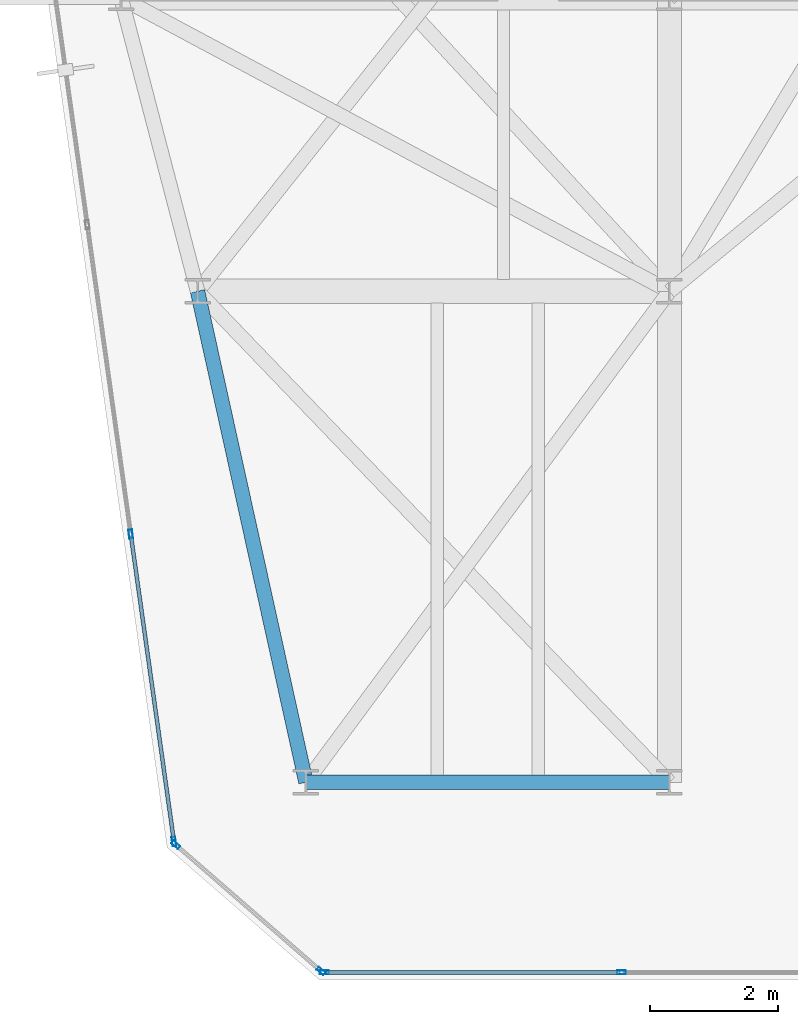
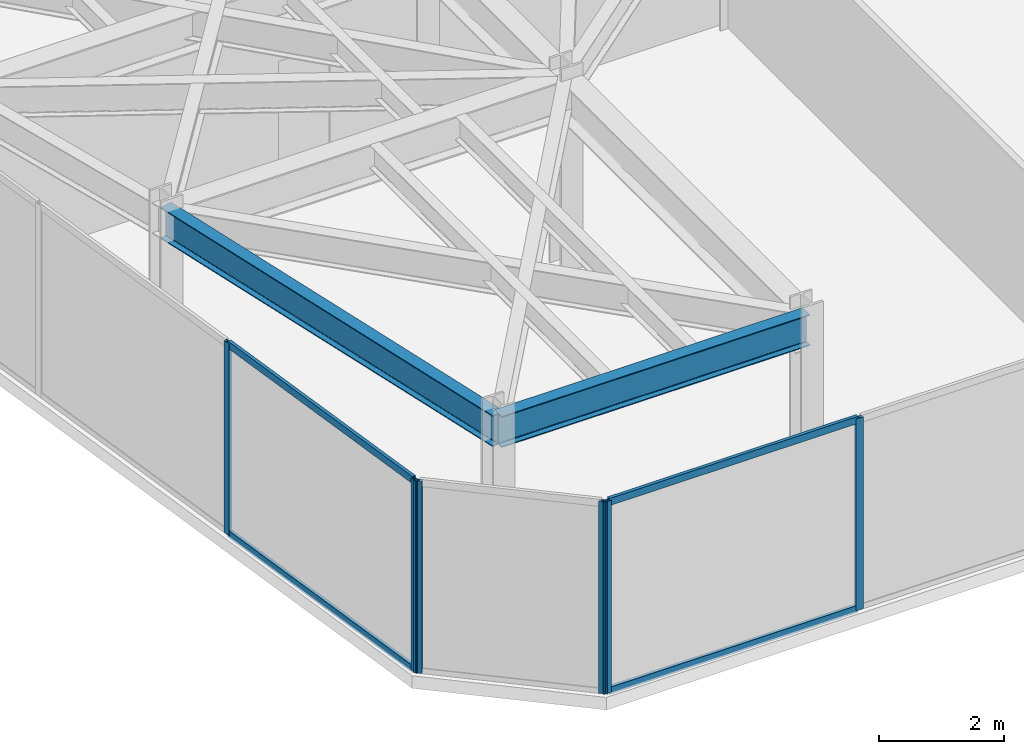
# One storey, part 2 of 26: 10 members, 2 beams, 3 elements without a shape of their own.
"""IFC4 building model written with IfcOpenShell, lengths in metres."""

from ifc_helpers import new_model, si_unit, direction, frame, origin, origin_2d, place, context, subcontext, project, spatial, hollow_rectangle, i_section, extrude, material, layer, layer_set, material_profile, profile_set, type_object, element, aggregate, save


model = new_model("IFC4")

# Units and contexts
model_context = context("Model", 3, precision=1e-05, world=origin(), true_north=direction((0.0, 1.0)))
body_context = subcontext(model_context, "Body", "Model", "MODEL_VIEW")
ifc_project = project(units=[si_unit("LENGTHUNIT", "METRE"), si_unit("AREAUNIT", "SQUARE_METRE"), si_unit("VOLUMEUNIT", "CUBIC_METRE"), si_unit("PLANEANGLEUNIT", "RADIAN"), si_unit("MASSUNIT", "GRAM", prefix="KILO")], contexts=[model_context])

# Site, building, storey
site_placement = place(None, origin())
site = spatial("IfcSite", under=ifc_project, at=site_placement, CompositionType="ELEMENT")
building_placement = place(site_placement, origin())
building = spatial("IfcBuilding", under=site, at=building_placement, Name="Kravanh Interchange Tower", CompositionType="ELEMENT")
storey_placement = place(building_placement, frame((0.0, 0.0, 204.5)))
storey = spatial("IfcBuildingStorey", under=building, at=storey_placement, Name="L49", CompositionType="ELEMENT", Elevation=204.5)

# Curtain wall, members
ifc_material_1 = material(Name="Anodised Bronze Aluminium", Category="aluminium")
ifc_layer = layer(ifc_material_1, 0.179931640625)
ifc_layer_set = layer_set([ifc_layer], Name="Unitised Curtain Wall System CW-Z3 Upper Office")
curtain_wall_type = type_object("IfcCurtainWallType", Name="Unitised Curtain Wall System CW-Z3 Upper Office", PredefinedType="NOTDEFINED", material=ifc_layer_set)
curtain_wall_1_placement = place(storey_placement, origin())
curtain_wall_1 = element("IfcCurtainWall", 1, at=curtain_wall_1_placement, inside=storey, type_object=curtain_wall_type, Name="L49 Unitised Curtain Wall CW-L49-01", PredefinedType="NOTDEFINED")
ifc_material_2 = material(Name="Anodised Bronze Aluminium", Category="aluminium")
ifc_material_profile_1 = material_profile(ifc_material_2, hollow_rectangle(XDim=0.06005859375, YDim=0.139892578125, WallThickness=0.00390625, at=origin_2d()), Name="ALU60X140X4")
ifc_profile_set_1 = profile_set([ifc_material_profile_1], Name="Anodised Bronze Aluminium")
member_type_1 = type_object("IfcMemberType", Name="Curtain Wall Mullion ALU60X140X4 Bronze", PredefinedType="MULLION", material=ifc_profile_set_1)
member_1_placement = place(storey_placement, frame((19.43017578125, 13.5703125, 0.0), z_axis=(0.0, 0.0, 1.0), x_axis=(-0.990268194035, -0.139172209446, 0.0)))
member_1 = element("IfcMember", 2, at=member_1_placement, type_object=member_type_1, Name="CW-Z3 mullion 1", PredefinedType="MULLION", context=body_context, shape_type="SweptSolid", body=[
    extrude(hollow_rectangle(XDim=0.06005859375, YDim=0.139892578125, WallThickness=0.00390625, at=origin_2d()), origin(), (0.0, 0.0, 1.0), 3.7548828125),
])
member_2_placement = place(storey_placement, frame((18.75244140625, 18.392578125, 0.0), z_axis=(0.0, 0.0, 1.0), x_axis=(-0.990268194035, -0.139172209446, 0.0)))
member_2 = element("IfcMember", 3, at=member_2_placement, type_object=member_type_1, Name="CW-Z3 mullion 2", PredefinedType="MULLION", context=body_context, shape_type="SweptSolid", body=[
    extrude(hollow_rectangle(XDim=0.06005859375, YDim=0.139892578125, WallThickness=0.00390625, at=origin_2d()), origin(), (0.0, 0.0, 1.0), 3.7548828125),
])

curtain_wall_2_placement = place(storey_placement, origin())
curtain_wall_2 = element("IfcCurtainWall", 4, at=curtain_wall_2_placement, inside=storey, type_object=curtain_wall_type, Name="L49 Unitised Curtain Wall CW-L49-06", PredefinedType="NOTDEFINED")
member_3_placement = place(storey_placement, frame((26.447998046875, 11.52001953125, 0.0), z_axis=(0.0, 0.0, 1.0), x_axis=(0.0, -1.0, 0.0)))
member_3 = element("IfcMember", 5, at=member_3_placement, type_object=member_type_1, Name="CW-Z3 mullion 2", PredefinedType="MULLION", context=body_context, shape_type="SweptSolid", body=[
    extrude(hollow_rectangle(XDim=0.06005859375, YDim=0.139892578125, WallThickness=0.00390625, at=origin_2d()), origin(), (0.0, 0.0, 1.0), 3.7548828125),
])
member_4_placement = place(storey_placement, frame((21.7890625, 11.52001953125, 0.0), z_axis=(0.0, 0.0, 1.0), x_axis=(0.0, -1.0, 0.0)))
member_4 = element("IfcMember", 6, at=member_4_placement, type_object=member_type_1, Name="CW-Z3 mullion 3", PredefinedType="MULLION", context=body_context, shape_type="SweptSolid", body=[
    extrude(hollow_rectangle(XDim=0.06005859375, YDim=0.139892578125, WallThickness=0.00390625, at=origin_2d()), origin(), (0.0, 0.0, 1.0), 3.7548828125),
])

curtain_wall_3_placement = place(storey_placement, origin())
curtain_wall_3 = element("IfcCurtainWall", 7, at=curtain_wall_3_placement, inside=storey, type_object=curtain_wall_type, Name="L49 Unitised Curtain Wall CW-L49-07", PredefinedType="NOTDEFINED")
member_5_placement = place(storey_placement, frame((21.736328125, 11.539794921875, 0.0), z_axis=(0.0, 0.0, 1.0), x_axis=(-0.65605090137, -0.754716645379, 0.0)))
member_5 = element("IfcMember", 8, at=member_5_placement, type_object=member_type_1, Name="CW-Z3 mullion 1", PredefinedType="MULLION", context=body_context, shape_type="SweptSolid", body=[
    extrude(hollow_rectangle(XDim=0.06005859375, YDim=0.139892578125, WallThickness=0.00390625, at=origin_2d()), origin(), (0.0, 0.0, 1.0), 3.7548828125),
])
member_6_placement = place(storey_placement, frame((19.45703125, 13.52099609375, 0.0), z_axis=(0.0, 0.0, 1.0), x_axis=(-0.65605090137, -0.754716645379, 0.0)))
member_6 = element("IfcMember", 9, at=member_6_placement, type_object=member_type_1, Name="CW-Z3 mullion 2", PredefinedType="MULLION", context=body_context, shape_type="SweptSolid", body=[
    extrude(hollow_rectangle(XDim=0.06005859375, YDim=0.139892578125, WallThickness=0.00390625, at=origin_2d()), origin(), (0.0, 0.0, 1.0), 3.7548828125),
])
aggregate(curtain_wall_3, [member_5, member_6])

# Member
ifc_material_3 = material(Name="Anodised Bronze Aluminium", Category="aluminium")
ifc_material_profile_2 = material_profile(ifc_material_3, hollow_rectangle(XDim=0.06005859375, YDim=0.139892578125, WallThickness=0.00390625, at=origin_2d()), Name="ALU60X140X4")
ifc_profile_set_2 = profile_set([ifc_material_profile_2], Name="Anodised Bronze Aluminium")
member_type_2 = type_object("IfcMemberType", Name="Curtain Wall Transom ALU60X140X4 Bronze", PredefinedType="USERDEFINED", material=ifc_profile_set_2)
member_7_placement = place(storey_placement, frame((19.426025390625, 13.60009765625, 0.030029296875), z_axis=(-0.139189497915, 0.990265764161, 0.0), x_axis=(-0.990265764161, -0.139189497915, 0.0)))
member_7 = element("IfcMember", 10, at=member_7_placement, type_object=member_type_2, Name="CW-Z3 transom 1.1", ObjectType="TRANSOM", PredefinedType="USERDEFINED", context=body_context, shape_type="SweptSolid", body=[
    extrude(hollow_rectangle(XDim=0.06005859375, YDim=0.139892578125, WallThickness=0.00390625, at=origin_2d()), origin(), (0.0, 0.0, 1.0), 4.8095703125),
])

member_8_placement = place(storey_placement, frame((19.426025390625, 13.60009765625, 3.72509765625), z_axis=(-0.139189497915, 0.990265764161, 0.0), x_axis=(-0.990265764161, -0.139189497915, 0.0)))
member_8 = element("IfcMember", 11, at=member_8_placement, type_object=member_type_2, Name="CW-Z3 transom 1.2", ObjectType="TRANSOM", PredefinedType="USERDEFINED", context=body_context, shape_type="SweptSolid", body=[
    extrude(hollow_rectangle(XDim=0.06005859375, YDim=0.139892578125, WallThickness=0.00390625, at=origin_2d()), origin(), (0.0, 0.0, 1.0), 4.8095703125),
])

aggregate(curtain_wall_1, [member_1, member_2, member_7, member_8])

member_9_placement = place(storey_placement, frame((26.41796875, 11.52001953125, 0.030029296875), z_axis=(-1.0, 0.0, 0.0), x_axis=(0.0, -1.0, 0.0)))
member_9 = element("IfcMember", 12, at=member_9_placement, type_object=member_type_2, Name="CW-Z3 transom 2.1", ObjectType="TRANSOM", PredefinedType="USERDEFINED", context=body_context, shape_type="SweptSolid", body=[
    extrude(hollow_rectangle(XDim=0.06005859375, YDim=0.139892578125, WallThickness=0.00390625, at=origin_2d()), origin(), (0.0, 0.0, 1.0), 4.598876953125),
])

member_10_placement = place(storey_placement, frame((26.41796875, 11.52001953125, 3.72509765625), z_axis=(-1.0, 0.0, 0.0), x_axis=(0.0, -1.0, 0.0)))
member_10 = element("IfcMember", 13, at=member_10_placement, type_object=member_type_2, Name="CW-Z3 transom 2.2", ObjectType="TRANSOM", PredefinedType="USERDEFINED", context=body_context, shape_type="SweptSolid", body=[
    extrude(hollow_rectangle(XDim=0.06005859375, YDim=0.139892578125, WallThickness=0.00390625, at=origin_2d()), origin(), (0.0, 0.0, 1.0), 4.598876953125),
])

aggregate(curtain_wall_2, [member_3, member_4, member_9, member_10])

# Beams
ifc_material_4 = material(Name="Structural Steel S355", Category="steel")
ifc_material_profile_3 = material_profile(ifc_material_4, i_section(OverallWidth=0.22802734375, OverallDepth=0.60791015625, WebThickness=0.01123046875, FlangeThickness=0.017333984375, FilletRadius=0.02197265625, at=origin_2d()), Name="W24X76")
ifc_profile_set_3 = profile_set([ifc_material_profile_3], Name="Structural Steel S355")
beam_type = type_object("IfcBeamType", Name="Floor Spandrel W24X76 Structural Steel S355", PredefinedType="SPANDREL", material=ifc_profile_set_3)
beam_1_placement = place(storey_placement, frame((21.5, 14.5, 3.450927734375), z_axis=(1.0, 0.0, 0.0), x_axis=(0.0, 1.0, 0.0)))
element("IfcBeam", 14, at=beam_1_placement, inside=storey, type_object=beam_type, Name="L49 Perimeter Spandrel 30", PredefinedType="SPANDREL", context=body_context, shape_type="SweptSolid", body=[
    extrude(i_section(OverallWidth=0.22802734375, OverallDepth=0.60791015625, WebThickness=0.01123046875, FlangeThickness=0.017333984375, FilletRadius=0.02197265625, at=origin_2d()), origin(), (0.0, 0.0, 1.0), 5.699951171875),
])
beam_2_placement = place(storey_placement, frame((21.5, 14.5, 3.450927734375), z_axis=(-0.215582892261, 0.976485543449, 0.0), x_axis=(-0.976485543449, -0.215582892261, 0.0)))
element("IfcBeam", 15, at=beam_2_placement, inside=storey, type_object=beam_type, Name="L49 Perimeter Spandrel 31", PredefinedType="SPANDREL", context=body_context, shape_type="SweptSolid", body=[
    extrude(i_section(OverallWidth=0.22802734375, OverallDepth=0.60791015625, WebThickness=0.01123046875, FlangeThickness=0.017333984375, FilletRadius=0.02197265625, at=origin_2d()), origin(), (0.0, 0.0, 1.0), 7.88525390625),
])

save(model, "model.ifc")
